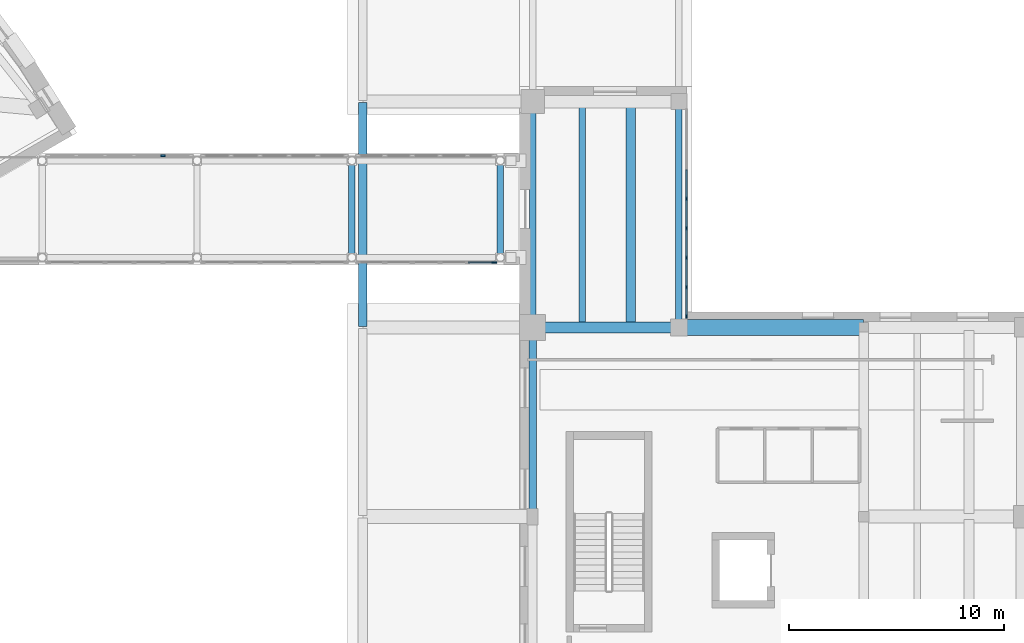
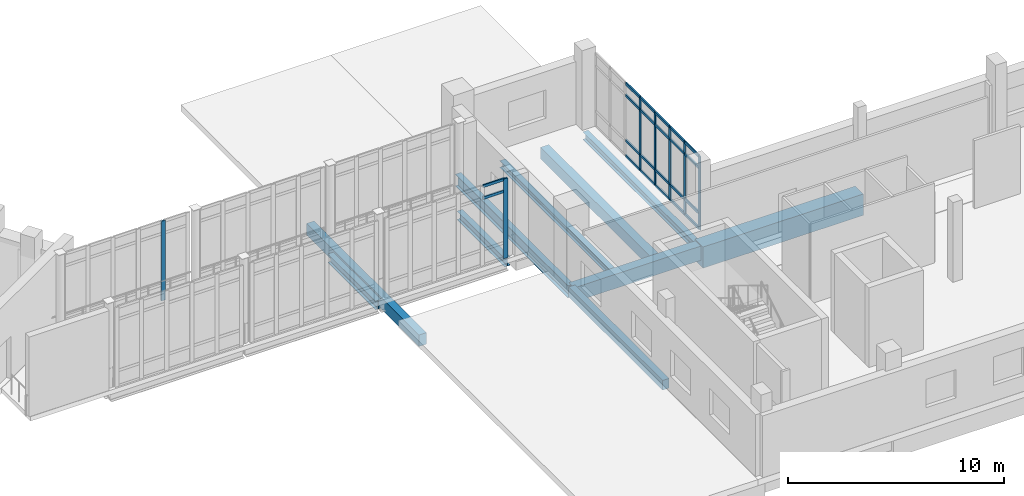
# One storey, part 28 of 75: 29 members, 10 beams, 3 elements without a shape of their own.
"""IFC4 building model written with IfcOpenShell, lengths in metres."""

from ifc_helpers import new_model, si_unit, direction, frame, origin, origin_2d, place, context, subcontext, project, spatial, rectangle, i_section, extrude, material, material_profile, profile_set, type_object, element, aggregate, save


model = new_model("IFC4")

# Units and contexts
model_context = context("Model", 3, precision=1e-05, world=origin(), true_north=direction((0.0, 1.0)))
body_context = subcontext(model_context, "Body", "Model", "MODEL_VIEW")
ifc_project = project(units=[si_unit("LENGTHUNIT", "METRE"), si_unit("AREAUNIT", "SQUARE_METRE"), si_unit("VOLUMEUNIT", "CUBIC_METRE"), si_unit("PLANEANGLEUNIT", "RADIAN"), si_unit("MASSUNIT", "GRAM", prefix="KILO")], contexts=[model_context])

# Site, building, storey
site_placement = place(None, origin())
site = spatial("IfcSite", under=ifc_project, at=site_placement, CompositionType="ELEMENT")
building_placement = place(site_placement, origin())
building = spatial("IfcBuilding", under=site, at=building_placement, Name="Soyqirgoq Riverine Aquarium", CompositionType="ELEMENT")
storey_placement = place(building_placement, frame((0.0, 0.0, 10.199951171875)))
storey = spatial("IfcBuildingStorey", under=building, at=storey_placement, Name="L03", CompositionType="ELEMENT", Elevation=10.199951171875)

# Beams
ifc_material_1 = material(Name="Concrete C40/50", Category="concrete")
ifc_material_profile_1 = material_profile(ifc_material_1, rectangle(XDim=0.39990234375, YDim=0.64990234375, at=origin_2d()), Name="RC 400x650")
ifc_profile_set_1 = profile_set([ifc_material_profile_1], Name="Concrete C40/50")
beam_type_1 = type_object("IfcBeamType", Name="Beam_RC_400x650", PredefinedType="BEAM", material=ifc_profile_set_1)
beam_1_placement = place(storey_placement, frame((114.699951171875, 74.35009765625, -0.675048828125), z_axis=(0.0, 1.0, 0.0), x_axis=(-1.0, 0.0, 0.0)))
element("IfcBeam", 1, at=beam_1_placement, inside=storey, type_object=beam_type_1, Name="V7 L03 North-South Frame Beam 1361", PredefinedType="BEAM", context=body_context, shape_type="SweptSolid", body=[
    extrude(rectangle(XDim=0.39990234375, YDim=0.64990234375, at=origin_2d()), origin(), (0.0, 0.0, 1.0), 10.39990234375),
])
ifc_material_2 = material(Name="Concrete C40/50", Category="concrete")
ifc_material_profile_2 = material_profile(ifc_material_2, rectangle(XDim=0.449951171875, YDim=0.64990234375, at=origin_2d()), Name="RC 450x650")
ifc_profile_set_2 = profile_set([ifc_material_profile_2], Name="Concrete C40/50")
beam_type_2 = type_object("IfcBeamType", Name="Beam_RC_450x650", PredefinedType="BEAM", material=ifc_profile_set_2)
beam_2_placement = place(storey_placement, frame((127.156005859375, 74.43994140625, -0.675048828125), z_axis=(0.0, 1.0, 0.0), x_axis=(-1.0, 0.0, 0.0)))
element("IfcBeam", 2, at=beam_2_placement, inside=storey, type_object=beam_type_2, Name="V7 L03 Secondary Bay Joist 1399", PredefinedType="BEAM", context=body_context, shape_type="SweptSolid", body=[
    extrude(rectangle(XDim=0.449951171875, YDim=0.64990234375, at=origin_2d()), origin(), (0.0, 0.0, 1.0), 10.219970703125),
])

# Curtain wall, members
ifc_material_3 = material(Name="Anodised aluminium thermally broken gallery curtain wall", Category="aluminium")
curtain_wall_type_1 = type_object("IfcCurtainWallType", Name="CW_Pavilion_Ribbon", PredefinedType="NOTDEFINED", material=ifc_material_3)
curtain_wall_1_placement = place(storey_placement, origin())
curtain_wall_1 = element("IfcCurtainWall", 3, at=curtain_wall_1_placement, inside=storey, type_object=curtain_wall_type_1, Name="V7 L03 Curtain Wall 132", PredefinedType="NOTDEFINED")
ifc_material_4 = material(Name="Anodised aluminium 6063-T6", Category="aluminium")
ifc_material_profile_3 = material_profile(ifc_material_4, rectangle(XDim=0.06494140625, YDim=0.179931640625, at=origin_2d()), Name="ALU-M 65x180")
ifc_profile_set_3 = profile_set([ifc_material_profile_3], Name="Anodised aluminium 6063-T6")
member_type_1 = type_object("IfcMemberType", Name="CWMullion_65x180", PredefinedType="MULLION", material=ifc_profile_set_3)
member_1_placement = place(storey_placement, frame((129.75, 80.2841796875, 0.0), z_axis=(0.0, 0.0, 1.0), x_axis=(1.0, 0.0, 0.0)))
member_1 = element("IfcMember", 4, at=member_1_placement, type_object=member_type_1, Name="CW-05 mullion 4", PredefinedType="MULLION", context=body_context, shape_type="SweptSolid", body=[
    extrude(rectangle(XDim=0.06494140625, YDim=0.179931640625, at=origin_2d()), origin(), (0.0, 0.0, 1.0), 4.150146484375),
])
member_2_placement = place(storey_placement, frame((129.75, 78.91064453125, 0.0), z_axis=(0.0, 0.0, 1.0), x_axis=(1.0, 0.0, 0.0)))
member_2 = element("IfcMember", 5, at=member_2_placement, type_object=member_type_1, Name="CW-05 mullion 5", PredefinedType="MULLION", context=body_context, shape_type="SweptSolid", body=[
    extrude(rectangle(XDim=0.06494140625, YDim=0.179931640625, at=origin_2d()), origin(), (0.0, 0.0, 1.0), 4.150146484375),
])
member_3_placement = place(storey_placement, frame((129.75, 77.537109375, 0.0), z_axis=(0.0, 0.0, 1.0), x_axis=(1.0, 0.0, 0.0)))
member_3 = element("IfcMember", 6, at=member_3_placement, type_object=member_type_1, Name="CW-05 mullion 6", PredefinedType="MULLION", context=body_context, shape_type="SweptSolid", body=[
    extrude(rectangle(XDim=0.06494140625, YDim=0.179931640625, at=origin_2d()), origin(), (0.0, 0.0, 1.0), 4.150146484375),
])
member_4_placement = place(storey_placement, frame((129.75, 76.16357421875, 0.0), z_axis=(0.0, 0.0, 1.0), x_axis=(1.0, 0.0, 0.0)))
member_4 = element("IfcMember", 7, at=member_4_placement, type_object=member_type_1, Name="CW-05 mullion 7", PredefinedType="MULLION", context=body_context, shape_type="SweptSolid", body=[
    extrude(rectangle(XDim=0.06494140625, YDim=0.179931640625, at=origin_2d()), origin(), (0.0, 0.0, 1.0), 4.150146484375),
])
member_5_placement = place(storey_placement, frame((129.75, 74.822509765625, 0.0), z_axis=(0.0, 0.0, 1.0), x_axis=(1.0, 0.0, 0.0)))
member_5 = element("IfcMember", 8, at=member_5_placement, type_object=member_type_1, Name="CW-05 mullion 8", PredefinedType="MULLION", context=body_context, shape_type="SweptSolid", body=[
    extrude(rectangle(XDim=0.06494140625, YDim=0.179931640625, at=origin_2d()), origin(), (0.0, 0.0, 1.0), 4.150146484375),
])

# Curtain wall, member
ifc_material_5 = material(Name="Laminated solar-control bridge curtain wall", Category="aluminium")
curtain_wall_type_2 = type_object("IfcCurtainWallType", Name="CW_Bridge_Concourse", PredefinedType="NOTDEFINED", material=ifc_material_5)
curtain_wall_2_placement = place(storey_placement, origin())
curtain_wall_2 = element("IfcCurtainWall", 9, at=curtain_wall_2_placement, inside=storey, type_object=curtain_wall_type_2, Name="BR-2 L03 Curtain Wall 143", PredefinedType="NOTDEFINED")
ifc_material_6 = material(Name="Anodised aluminium 6063-T6", Category="aluminium")
ifc_material_profile_4 = material_profile(ifc_material_6, rectangle(XDim=0.080078125, YDim=0.219970703125, at=origin_2d()), Name="ALU-M 80x220")
ifc_profile_set_4 = profile_set([ifc_material_profile_4], Name="Anodised aluminium 6063-T6")
member_type_2 = type_object("IfcMemberType", Name="CWMullion_80x220", PredefinedType="MULLION", material=ifc_profile_set_4)
member_6_placement = place(storey_placement, frame((120.820068359375, 77.320068359375, 0.0), z_axis=(0.0, 0.0, 1.0), x_axis=(0.0, 1.0, 0.0)))
member_6 = element("IfcMember", 10, at=member_6_placement, type_object=member_type_2, Name="CW-06 mullion 6", PredefinedType="MULLION", context=body_context, shape_type="SweptSolid", body=[
    extrude(rectangle(XDim=0.080078125, YDim=0.219970703125, at=origin_2d()), origin(), (0.0, 0.0, 1.0), 4.5),
])

curtain_wall_3_placement = place(storey_placement, origin())
curtain_wall_3 = element("IfcCurtainWall", 11, at=curtain_wall_3_placement, inside=storey, type_object=curtain_wall_type_2, Name="BR-2 L03 Curtain Wall 144", PredefinedType="NOTDEFINED")
member_7_placement = place(storey_placement, frame((105.416015625, 82.280029296875, 0.0), z_axis=(0.0, 0.0, 1.0), x_axis=(0.0, 1.0, 0.0)))
member_7 = element("IfcMember", 12, at=member_7_placement, type_object=member_type_2, Name="CW-06 mullion 5", PredefinedType="MULLION", context=body_context, shape_type="SweptSolid", body=[
    extrude(rectangle(XDim=0.080078125, YDim=0.219970703125, at=origin_2d()), origin(), (0.0, 0.0, 1.0), 4.5),
])
aggregate(curtain_wall_3, [member_7])

# Member
ifc_material_7 = material(Name="Anodised aluminium 6063-T6", Category="aluminium")
ifc_material_profile_5 = material_profile(ifc_material_7, rectangle(XDim=0.074951171875, YDim=0.14990234375, at=origin_2d()), Name="ALU-T 75x150")
ifc_profile_set_5 = profile_set([ifc_material_profile_5], Name="Anodised aluminium 6063-T6")
member_type_3 = type_object("IfcMemberType", Name="CWTransom_75x150", PredefinedType="USERDEFINED", material=ifc_profile_set_5)
member_8_placement = place(storey_placement, frame((129.75, 81.625244140625, 0.03759765625), z_axis=(0.0, -1.0, 0.0), x_axis=(1.0, 0.0, 0.0)))
member_8 = element("IfcMember", 13, at=member_8_placement, type_object=member_type_3, Name="CW-05 transom 3.1", ObjectType="TRANSOM", PredefinedType="USERDEFINED", context=body_context, shape_type="SweptSolid", body=[
    extrude(rectangle(XDim=0.074951171875, YDim=0.14990234375, at=origin_2d()), origin(), (0.0, 0.0, 1.0), 1.308349609375),
])

member_9_placement = place(storey_placement, frame((129.75, 81.625244140625, 0.900146484375), z_axis=(0.0, -1.0, 0.0), x_axis=(1.0, 0.0, 0.0)))
member_9 = element("IfcMember", 14, at=member_9_placement, type_object=member_type_3, Name="CW-05 transom 3.2", ObjectType="TRANSOM", PredefinedType="USERDEFINED", context=body_context, shape_type="SweptSolid", body=[
    extrude(rectangle(XDim=0.074951171875, YDim=0.14990234375, at=origin_2d()), origin(), (0.0, 0.0, 1.0), 1.308349609375),
])

member_10_placement = place(storey_placement, frame((129.75, 81.625244140625, 3.449951171875), z_axis=(0.0, -1.0, 0.0), x_axis=(1.0, 0.0, 0.0)))
member_10 = element("IfcMember", 15, at=member_10_placement, type_object=member_type_3, Name="CW-05 transom 3.3", ObjectType="TRANSOM", PredefinedType="USERDEFINED", context=body_context, shape_type="SweptSolid", body=[
    extrude(rectangle(XDim=0.074951171875, YDim=0.14990234375, at=origin_2d()), origin(), (0.0, 0.0, 1.0), 1.308349609375),
])

member_11_placement = place(storey_placement, frame((129.75, 81.625244140625, 4.112548828125), z_axis=(0.0, -1.0, 0.0), x_axis=(1.0, 0.0, 0.0)))
member_11 = element("IfcMember", 16, at=member_11_placement, type_object=member_type_3, Name="CW-05 transom 3.4", ObjectType="TRANSOM", PredefinedType="USERDEFINED", context=body_context, shape_type="SweptSolid", body=[
    extrude(rectangle(XDim=0.074951171875, YDim=0.14990234375, at=origin_2d()), origin(), (0.0, 0.0, 1.0), 1.308349609375),
])

member_12_placement = place(storey_placement, frame((129.75, 80.251708984375, 0.03759765625), z_axis=(0.0, -1.0, 0.0), x_axis=(1.0, 0.0, 0.0)))
member_12 = element("IfcMember", 17, at=member_12_placement, type_object=member_type_3, Name="CW-05 transom 4.1", ObjectType="TRANSOM", PredefinedType="USERDEFINED", context=body_context, shape_type="SweptSolid", body=[
    extrude(rectangle(XDim=0.074951171875, YDim=0.14990234375, at=origin_2d()), origin(), (0.0, 0.0, 1.0), 1.30859375),
])

member_13_placement = place(storey_placement, frame((129.75, 80.251708984375, 0.900146484375), z_axis=(0.0, -1.0, 0.0), x_axis=(1.0, 0.0, 0.0)))
member_13 = element("IfcMember", 18, at=member_13_placement, type_object=member_type_3, Name="CW-05 transom 4.2", ObjectType="TRANSOM", PredefinedType="USERDEFINED", context=body_context, shape_type="SweptSolid", body=[
    extrude(rectangle(XDim=0.074951171875, YDim=0.14990234375, at=origin_2d()), origin(), (0.0, 0.0, 1.0), 1.30859375),
])

member_14_placement = place(storey_placement, frame((129.75, 80.251708984375, 3.449951171875), z_axis=(0.0, -1.0, 0.0), x_axis=(1.0, 0.0, 0.0)))
member_14 = element("IfcMember", 19, at=member_14_placement, type_object=member_type_3, Name="CW-05 transom 4.3", ObjectType="TRANSOM", PredefinedType="USERDEFINED", context=body_context, shape_type="SweptSolid", body=[
    extrude(rectangle(XDim=0.074951171875, YDim=0.14990234375, at=origin_2d()), origin(), (0.0, 0.0, 1.0), 1.30859375),
])

member_15_placement = place(storey_placement, frame((129.75, 80.251708984375, 4.112548828125), z_axis=(0.0, -1.0, 0.0), x_axis=(1.0, 0.0, 0.0)))
member_15 = element("IfcMember", 20, at=member_15_placement, type_object=member_type_3, Name="CW-05 transom 4.4", ObjectType="TRANSOM", PredefinedType="USERDEFINED", context=body_context, shape_type="SweptSolid", body=[
    extrude(rectangle(XDim=0.074951171875, YDim=0.14990234375, at=origin_2d()), origin(), (0.0, 0.0, 1.0), 1.30859375),
])

member_16_placement = place(storey_placement, frame((129.75, 78.878173828125, 0.03759765625), z_axis=(0.0, -1.0, 0.0), x_axis=(1.0, 0.0, 0.0)))
member_16 = element("IfcMember", 21, at=member_16_placement, type_object=member_type_3, Name="CW-05 transom 5.1", ObjectType="TRANSOM", PredefinedType="USERDEFINED", context=body_context, shape_type="SweptSolid", body=[
    extrude(rectangle(XDim=0.074951171875, YDim=0.14990234375, at=origin_2d()), origin(), (0.0, 0.0, 1.0), 1.30859375),
])

member_17_placement = place(storey_placement, frame((129.75, 78.878173828125, 0.900146484375), z_axis=(0.0, -1.0, 0.0), x_axis=(1.0, 0.0, 0.0)))
member_17 = element("IfcMember", 22, at=member_17_placement, type_object=member_type_3, Name="CW-05 transom 5.2", ObjectType="TRANSOM", PredefinedType="USERDEFINED", context=body_context, shape_type="SweptSolid", body=[
    extrude(rectangle(XDim=0.074951171875, YDim=0.14990234375, at=origin_2d()), origin(), (0.0, 0.0, 1.0), 1.30859375),
])

member_18_placement = place(storey_placement, frame((129.75, 78.878173828125, 3.449951171875), z_axis=(0.0, -1.0, 0.0), x_axis=(1.0, 0.0, 0.0)))
member_18 = element("IfcMember", 23, at=member_18_placement, type_object=member_type_3, Name="CW-05 transom 5.3", ObjectType="TRANSOM", PredefinedType="USERDEFINED", context=body_context, shape_type="SweptSolid", body=[
    extrude(rectangle(XDim=0.074951171875, YDim=0.14990234375, at=origin_2d()), origin(), (0.0, 0.0, 1.0), 1.30859375),
])

member_19_placement = place(storey_placement, frame((129.75, 78.878173828125, 4.112548828125), z_axis=(0.0, -1.0, 0.0), x_axis=(1.0, 0.0, 0.0)))
member_19 = element("IfcMember", 24, at=member_19_placement, type_object=member_type_3, Name="CW-05 transom 5.4", ObjectType="TRANSOM", PredefinedType="USERDEFINED", context=body_context, shape_type="SweptSolid", body=[
    extrude(rectangle(XDim=0.074951171875, YDim=0.14990234375, at=origin_2d()), origin(), (0.0, 0.0, 1.0), 1.30859375),
])

member_20_placement = place(storey_placement, frame((129.75, 77.504638671875, 0.03759765625), z_axis=(0.0, -1.0, 0.0), x_axis=(1.0, 0.0, 0.0)))
member_20 = element("IfcMember", 25, at=member_20_placement, type_object=member_type_3, Name="CW-05 transom 6.1", ObjectType="TRANSOM", PredefinedType="USERDEFINED", context=body_context, shape_type="SweptSolid", body=[
    extrude(rectangle(XDim=0.074951171875, YDim=0.14990234375, at=origin_2d()), origin(), (0.0, 0.0, 1.0), 1.30859375),
])

member_21_placement = place(storey_placement, frame((129.75, 77.504638671875, 0.900146484375), z_axis=(0.0, -1.0, 0.0), x_axis=(1.0, 0.0, 0.0)))
member_21 = element("IfcMember", 26, at=member_21_placement, type_object=member_type_3, Name="CW-05 transom 6.2", ObjectType="TRANSOM", PredefinedType="USERDEFINED", context=body_context, shape_type="SweptSolid", body=[
    extrude(rectangle(XDim=0.074951171875, YDim=0.14990234375, at=origin_2d()), origin(), (0.0, 0.0, 1.0), 1.30859375),
])

member_22_placement = place(storey_placement, frame((129.75, 77.504638671875, 3.449951171875), z_axis=(0.0, -1.0, 0.0), x_axis=(1.0, 0.0, 0.0)))
member_22 = element("IfcMember", 27, at=member_22_placement, type_object=member_type_3, Name="CW-05 transom 6.3", ObjectType="TRANSOM", PredefinedType="USERDEFINED", context=body_context, shape_type="SweptSolid", body=[
    extrude(rectangle(XDim=0.074951171875, YDim=0.14990234375, at=origin_2d()), origin(), (0.0, 0.0, 1.0), 1.30859375),
])

member_23_placement = place(storey_placement, frame((129.75, 77.504638671875, 4.112548828125), z_axis=(0.0, -1.0, 0.0), x_axis=(1.0, 0.0, 0.0)))
member_23 = element("IfcMember", 28, at=member_23_placement, type_object=member_type_3, Name="CW-05 transom 6.4", ObjectType="TRANSOM", PredefinedType="USERDEFINED", context=body_context, shape_type="SweptSolid", body=[
    extrude(rectangle(XDim=0.074951171875, YDim=0.14990234375, at=origin_2d()), origin(), (0.0, 0.0, 1.0), 1.30859375),
])

member_24_placement = place(storey_placement, frame((129.75, 76.131103515625, 0.03759765625), z_axis=(0.0, -1.0, 0.0), x_axis=(1.0, 0.0, 0.0)))
member_24 = element("IfcMember", 29, at=member_24_placement, type_object=member_type_3, Name="CW-05 transom 7.1", ObjectType="TRANSOM", PredefinedType="USERDEFINED", context=body_context, shape_type="SweptSolid", body=[
    extrude(rectangle(XDim=0.074951171875, YDim=0.14990234375, at=origin_2d()), origin(), (0.0, 0.0, 1.0), 1.276123046875),
])

member_25_placement = place(storey_placement, frame((129.75, 76.131103515625, 0.900146484375), z_axis=(0.0, -1.0, 0.0), x_axis=(1.0, 0.0, 0.0)))
member_25 = element("IfcMember", 30, at=member_25_placement, type_object=member_type_3, Name="CW-05 transom 7.2", ObjectType="TRANSOM", PredefinedType="USERDEFINED", context=body_context, shape_type="SweptSolid", body=[
    extrude(rectangle(XDim=0.074951171875, YDim=0.14990234375, at=origin_2d()), origin(), (0.0, 0.0, 1.0), 1.276123046875),
])

member_26_placement = place(storey_placement, frame((129.75, 76.131103515625, 3.449951171875), z_axis=(0.0, -1.0, 0.0), x_axis=(1.0, 0.0, 0.0)))
member_26 = element("IfcMember", 31, at=member_26_placement, type_object=member_type_3, Name="CW-05 transom 7.3", ObjectType="TRANSOM", PredefinedType="USERDEFINED", context=body_context, shape_type="SweptSolid", body=[
    extrude(rectangle(XDim=0.074951171875, YDim=0.14990234375, at=origin_2d()), origin(), (0.0, 0.0, 1.0), 1.276123046875),
])

member_27_placement = place(storey_placement, frame((129.75, 76.131103515625, 4.112548828125), z_axis=(0.0, -1.0, 0.0), x_axis=(1.0, 0.0, 0.0)))
member_27 = element("IfcMember", 32, at=member_27_placement, type_object=member_type_3, Name="CW-05 transom 7.4", ObjectType="TRANSOM", PredefinedType="USERDEFINED", context=body_context, shape_type="SweptSolid", body=[
    extrude(rectangle(XDim=0.074951171875, YDim=0.14990234375, at=origin_2d()), origin(), (0.0, 0.0, 1.0), 1.276123046875),
])

aggregate(curtain_wall_1, [member_1, member_2, member_3, member_4, member_5, member_8, member_9, member_10, member_11, member_12, member_13, member_14, member_15, member_16, member_17, member_18, member_19, member_20, member_21, member_22, member_23, member_24, member_25, member_26, member_27])

member_28_placement = place(storey_placement, frame((119.615966796875, 77.320068359375, 3.800048828125), z_axis=(1.0, 0.0, 0.0), x_axis=(0.0, 1.0, 0.0)))
member_28 = element("IfcMember", 33, at=member_28_placement, type_object=member_type_3, Name="CW-06 transom 5.3", ObjectType="TRANSOM", PredefinedType="USERDEFINED", context=body_context, shape_type="SweptSolid", body=[
    extrude(rectangle(XDim=0.074951171875, YDim=0.14990234375, at=origin_2d()), origin(), (0.0, 0.0, 1.0), 1.1640625),
])

member_29_placement = place(storey_placement, frame((119.615966796875, 77.320068359375, 4.462646484375), z_axis=(1.0, 0.0, 0.0), x_axis=(0.0, 1.0, 0.0)))
member_29 = element("IfcMember", 34, at=member_29_placement, type_object=member_type_3, Name="CW-06 transom 5.4", ObjectType="TRANSOM", PredefinedType="USERDEFINED", context=body_context, shape_type="SweptSolid", body=[
    extrude(rectangle(XDim=0.074951171875, YDim=0.14990234375, at=origin_2d()), origin(), (0.0, 0.0, 1.0), 1.1640625),
])

aggregate(curtain_wall_2, [member_6, member_28, member_29])

# Beams
ifc_material_8 = material(Name="Concrete C40/50", Category="concrete")
ifc_material_profile_6 = material_profile(ifc_material_8, rectangle(XDim=0.5, YDim=0.800048828125, at=origin_2d()), Name="RC 500x800")
ifc_profile_set_6 = profile_set([ifc_material_profile_6], Name="Concrete C40/50")
beam_type_3 = type_object("IfcBeamType", Name="Girder_RC_500x800", PredefinedType="BEAM", material=ifc_profile_set_6)
beam_3_placement = place(storey_placement, frame((122.6201171875, 74.300048828125, -0.75), z_axis=(1.0, 0.0, 0.0), x_axis=(0.0, 1.0, 0.0)))
element("IfcBeam", 35, at=beam_3_placement, inside=storey, type_object=beam_type_3, Name="V7 L03 East-West Frame Girder 1370", PredefinedType="BEAM", context=body_context, shape_type="SweptSolid", body=[
    extrude(rectangle(XDim=0.5, YDim=0.800048828125, at=origin_2d()), origin(), (0.0, 0.0, 1.0), 6.759765625),
])
ifc_material_9 = material(Name="Concrete C40/50", Category="concrete")
ifc_material_profile_7 = material_profile(ifc_material_9, rectangle(XDim=0.75, YDim=1.199951171875, at=origin_2d()), Name="RC 750x1200")
ifc_profile_set_7 = profile_set([ifc_material_profile_7], Name="Concrete C40/50")
beam_type_4 = type_object("IfcBeamType", Name="Girder_RC_750x1200", PredefinedType="BEAM", material=ifc_profile_set_7)
beam_4_placement = place(storey_placement, frame((129.419921875, 74.300048828125, -0.949951171875), z_axis=(1.0, 0.0, 0.0), x_axis=(0.0, 1.0, 0.0)))
element("IfcBeam", 36, at=beam_4_placement, inside=storey, type_object=beam_type_4, Name="V7 L03 East-West Frame Girder 1376", PredefinedType="BEAM", context=body_context, shape_type="SweptSolid", body=[
    extrude(rectangle(XDim=0.75, YDim=1.199951171875, at=origin_2d()), origin(), (0.0, 0.0, 1.0), 8.56005859375),
])
ifc_material_10 = material(Name="Structural steel S355", Category="steel")
ifc_material_profile_8 = material_profile(ifc_material_10, i_section(OverallWidth=0.300048828125, OverallDepth=0.389892578125, WebThickness=0.010986328125, FlangeThickness=0.01904296875, FilletRadius=0.027099609375, at=origin_2d()), Name="HEA 400")
ifc_profile_set_8 = profile_set([ifc_material_profile_8], Name="Structural steel S355")
beam_type_5 = type_object("IfcBeamType", Name="SteelBeam_HEA400", PredefinedType="BEAM", material=ifc_profile_set_8)
beam_5_placement = place(storey_placement, frame((124.912109375, 74.43994140625, -0.544921875), z_axis=(0.0, 1.0, 0.0), x_axis=(-1.0, 0.0, 0.0)))
element("IfcBeam", 37, at=beam_5_placement, inside=storey, type_object=beam_type_5, Name="V7 L03 Secondary Bay Joist 1398", PredefinedType="BEAM", context=body_context, shape_type="SweptSolid", body=[
    extrude(i_section(OverallWidth=0.300048828125, OverallDepth=0.389892578125, WebThickness=0.010986328125, FlangeThickness=0.01904296875, FilletRadius=0.027099609375, at=origin_2d()), origin(), (0.0, 0.0, 1.0), 10.219970703125),
])
ifc_material_11 = material(Name="Structural steel S355", Category="steel")
ifc_material_profile_9 = material_profile(ifc_material_11, i_section(OverallWidth=0.300048828125, OverallDepth=0.43994140625, WebThickness=0.011474609375, FlangeThickness=0.02099609375, FilletRadius=0.027099609375, at=origin_2d()), Name="HEA 450")
ifc_profile_set_9 = profile_set([ifc_material_profile_9], Name="Structural steel S355")
beam_type_6 = type_object("IfcBeamType", Name="SteelBeam_HEA450", PredefinedType="BEAM", material=ifc_profile_set_9)
beam_6_placement = place(storey_placement, frame((129.39990234375, 74.35009765625, -0.570068359375), z_axis=(0.0, 1.0, 0.0), x_axis=(-1.0, 0.0, 0.0)))
element("IfcBeam", 38, at=beam_6_placement, inside=storey, type_object=beam_type_6, Name="V7 L03 North-South Frame Beam 1375", PredefinedType="BEAM", context=body_context, shape_type="SweptSolid", body=[
    extrude(i_section(OverallWidth=0.300048828125, OverallDepth=0.43994140625, WebThickness=0.011474609375, FlangeThickness=0.02099609375, FilletRadius=0.027099609375, at=origin_2d()), origin(), (0.0, 0.0, 1.0), 10.39990234375),
])
ifc_material_12 = material(Name="Structural steel S355", Category="steel")
ifc_material_profile_10 = material_profile(ifc_material_12, i_section(OverallWidth=0.300048828125, OverallDepth=0.489990234375, WebThickness=0.011962890625, FlangeThickness=0.02294921875, FilletRadius=0.027099609375, at=origin_2d()), Name="HEA 500")
ifc_profile_set_10 = profile_set([ifc_material_profile_10], Name="Structural steel S355")
beam_type_7 = type_object("IfcBeamType", Name="SteelBeam_HEA500", PredefinedType="BEAM", material=ifc_profile_set_10)
for number, where, z_axis, x_axis, name in (
    (39, (114.199951171875, 77.60009765625, -0.494873046875), (0.0, 1.0, 0.0), (-1.0, 0.0, 0.0), "BR-2 L03 Bridge Cross Transom 1469"),
    (40, (121.10009765625, 77.60009765625, -0.494873046875), (0.0, 1.0, 0.0), (-1.0, 0.0, 0.0), "BR-2 L03 Bridge Cross Transom 1471"),
):
    element("IfcBeam", number, at=place(storey_placement, frame(where, z_axis=z_axis, x_axis=x_axis)), inside=storey, type_object=beam_type_7, Name=name, PredefinedType="BEAM", context=body_context, shape_type="SweptSolid", body=[
        extrude(i_section(OverallWidth=0.300048828125, OverallDepth=0.489990234375, WebThickness=0.011962890625, FlangeThickness=0.02294921875, FilletRadius=0.027099609375, at=origin_2d()), origin(), (0.0, 0.0, 1.0), 4.39990234375),
    ])
ifc_material_13 = material(Name="Structural steel S355", Category="steel")
ifc_material_profile_11 = material_profile(ifc_material_13, i_section(OverallWidth=0.300048828125, OverallDepth=0.68994140625, WebThickness=0.014404296875, FlangeThickness=0.027099609375, FilletRadius=0.027099609375, at=origin_2d()), Name="HEA 700")
ifc_profile_set_11 = profile_set([ifc_material_profile_11], Name="Structural steel S355")
beam_type_8 = type_object("IfcBeamType", Name="SteelBeam_HEA700", PredefinedType="BEAM", material=ifc_profile_set_11)
beam_7_placement = place(storey_placement, frame((122.60009765625, 74.35009765625, -0.695068359375), z_axis=(0.0, 1.0, 0.0), x_axis=(-1.0, 0.0, 0.0)))
element("IfcBeam", 41, at=beam_7_placement, inside=storey, type_object=beam_type_8, Name="V7 L03 North-South Frame Beam 1369", PredefinedType="BEAM", context=body_context, shape_type="SweptSolid", body=[
    extrude(i_section(OverallWidth=0.300048828125, OverallDepth=0.68994140625, WebThickness=0.014404296875, FlangeThickness=0.027099609375, FilletRadius=0.027099609375, at=origin_2d()), origin(), (0.0, 0.0, 1.0), 10.39990234375),
])
ifc_material_14 = material(Name="Concrete C40/50", Category="concrete")
ifc_material_profile_12 = material_profile(ifc_material_14, rectangle(XDim=0.35009765625, YDim=0.550048828125, at=origin_2d()), Name="RC 350x550")
ifc_profile_set_12 = profile_set([ifc_material_profile_12], Name="Concrete C40/50")
beam_type_9 = type_object("IfcBeamType", Name="TBeam_RC_350x550", PredefinedType="T_BEAM", material=ifc_profile_set_12)
beam_8_placement = place(storey_placement, frame((122.60009765625, 65.550048828125, -0.625), z_axis=(0.0, 1.0, 0.0), x_axis=(-1.0, 0.0, 0.0)))
element("IfcBeam", 42, at=beam_8_placement, inside=storey, type_object=beam_type_9, Name="V7 L03 North-South Frame Beam 1368", PredefinedType="T_BEAM", context=body_context, shape_type="SweptSolid", body=[
    extrude(rectangle(XDim=0.35009765625, YDim=0.550048828125, at=origin_2d()), origin(), (0.0, 0.0, 1.0), 8.699951171875),
])

save(model, "model.ifc")
